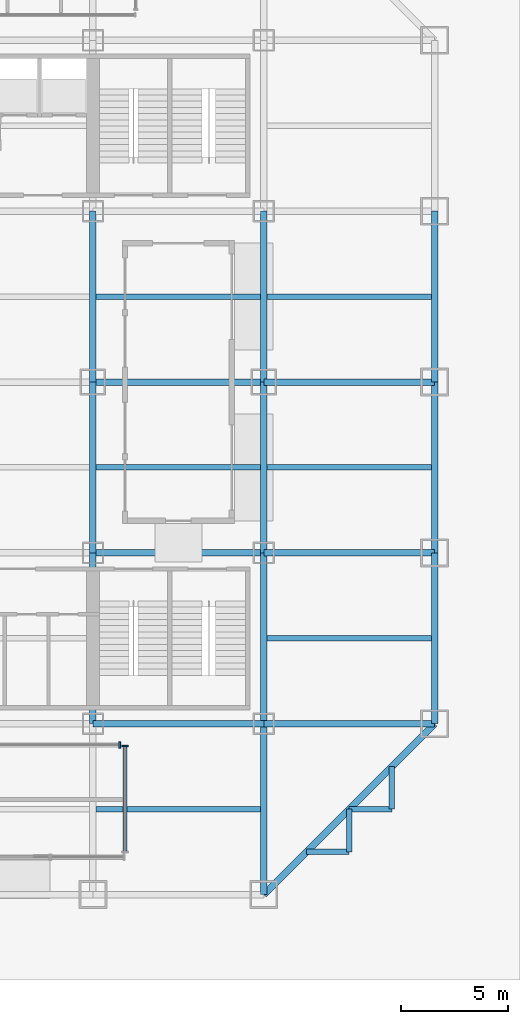
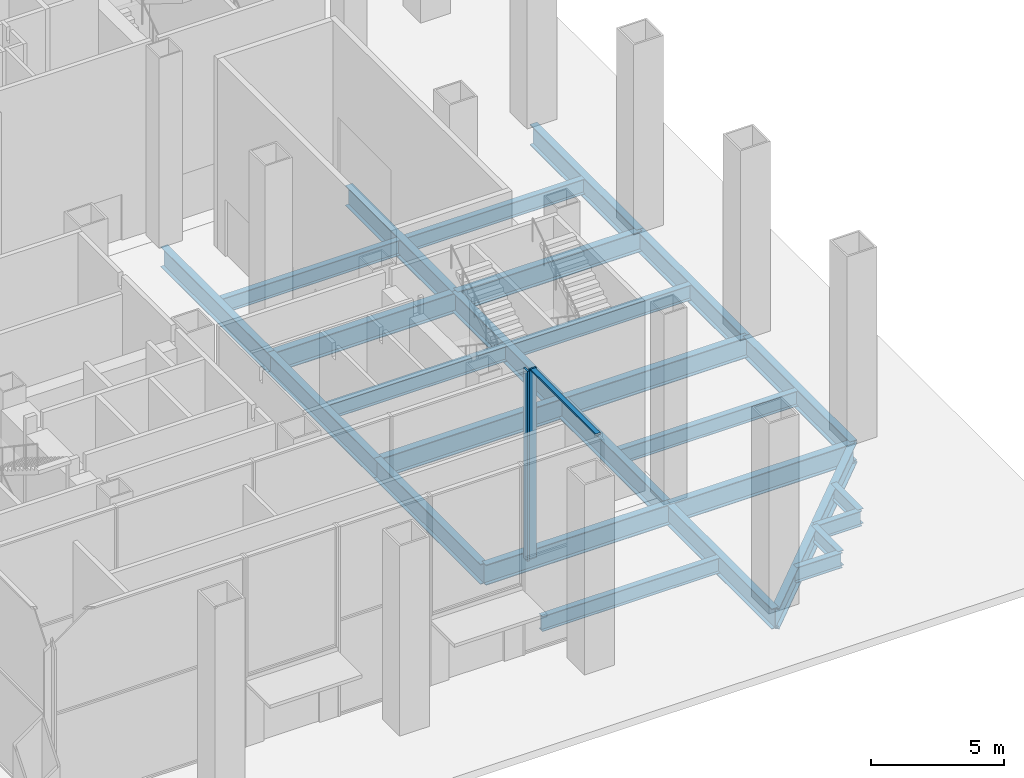
# One storey, part 3 of 14: 27 beams, 3 members, 2 elements without a shape of their own.
"""IFC4 building model written with IfcOpenShell, lengths in metres."""

from ifc_helpers import new_model, si_unit, direction, frame, origin, origin_2d, place, context, subcontext, project, spatial, rectangle, i_section, extrude, material, material_profile, profile_set, type_object, element, aggregate, save


model = new_model("IFC4")

# Units and contexts
model_context = context("Model", 3, precision=1e-05, world=origin(), true_north=direction((0.0, 1.0)))
body_context = subcontext(model_context, "Body", "Model", "MODEL_VIEW")
ifc_project = project(units=[si_unit("LENGTHUNIT", "METRE"), si_unit("AREAUNIT", "SQUARE_METRE"), si_unit("VOLUMEUNIT", "CUBIC_METRE"), si_unit("PLANEANGLEUNIT", "RADIAN"), si_unit("MASSUNIT", "GRAM", prefix="KILO")], contexts=[model_context])

# Site, building, storey
site_placement = place(None, origin())
site = spatial("IfcSite", under=ifc_project, at=site_placement, CompositionType="ELEMENT")
building_placement = place(site_placement, origin())
building = spatial("IfcBuilding", under=site, at=building_placement, Name="Immortelle Media Tower", CompositionType="ELEMENT")
storey_placement = place(building_placement, origin())
storey = spatial("IfcBuildingStorey", under=building, at=storey_placement, Name="G", CompositionType="ELEMENT", Elevation=0.0)

# Curtain wall, member
ifc_material_1 = material(Name="Aluminium curtain wall system", Category="aluminium")
curtain_wall_type = type_object("IfcCurtainWallType", Name="Lobby glazing curtain wall", PredefinedType="NOTDEFINED", material=ifc_material_1)
curtain_wall_1_placement = place(storey_placement, origin())
curtain_wall_1 = element("IfcCurtainWall", 1, at=curtain_wall_1_placement, inside=storey, type_object=curtain_wall_type, Name="Lobby glazing G E 1", PredefinedType="NOTDEFINED")
ifc_material_2 = material(Name="Aluminium 6063-T6", Category="aluminium")
ifc_material_profile_1 = material_profile(ifc_material_2, rectangle(XDim=0.300048828125, YDim=0.080078125, at=origin_2d()), Name="AL 80x300")
ifc_profile_set_1 = profile_set([ifc_material_profile_1], Name="Aluminium 6063-T6")
member_type_1 = type_object("IfcMemberType", Name="Lobby glazing mullion 80 x 300", PredefinedType="MULLION", material=ifc_profile_set_1)
member_1_placement = place(storey_placement, frame((33.5, 6.9599609375, 0.0), z_axis=(0.0, 0.0, 1.0), x_axis=(-1.0, 0.0, 0.0)))
member_1 = element("IfcMember", 2, at=member_1_placement, type_object=member_type_1, Name="CW1 mullion 2", PredefinedType="MULLION", context=body_context, shape_type="SweptSolid", body=[
    extrude(rectangle(XDim=0.300048828125, YDim=0.080078125, at=origin_2d()), origin(), (0.0, 0.0, 1.0), 8.699951171875),
])

curtain_wall_2_placement = place(storey_placement, origin())
curtain_wall_2 = element("IfcCurtainWall", 3, at=curtain_wall_2_placement, inside=storey, type_object=curtain_wall_type, Name="Lobby glazing G N 2", PredefinedType="NOTDEFINED")
member_2_placement = place(storey_placement, frame((33.260009765625, 7.0, 0.0), z_axis=(0.0, 0.0, 1.0), x_axis=(0.0, -1.0, 0.0)))
member_2 = element("IfcMember", 4, at=member_2_placement, type_object=member_type_1, Name="CW1 mullion 1", PredefinedType="MULLION", context=body_context, shape_type="SweptSolid", body=[
    extrude(rectangle(XDim=0.300048828125, YDim=0.080078125, at=origin_2d()), origin(), (0.0, 0.0, 1.0), 8.699951171875),
])
aggregate(curtain_wall_2, [member_2])

# Member
ifc_material_profile_2 = material_profile(ifc_material_2, rectangle(XDim=0.199951171875, YDim=0.080078125, at=origin_2d()), Name="AL 80x200")
ifc_profile_set_2 = profile_set([ifc_material_profile_2], Name="Aluminium 6063-T6")
member_type_2 = type_object("IfcMemberType", Name="Lobby glazing transom 80 x 200", PredefinedType="USERDEFINED", material=ifc_profile_set_2)
member_3_placement = place(storey_placement, frame((33.5, 2.030029296875, 8.659912109375), z_axis=(0.0, 1.0, 0.0), x_axis=(-1.0, 0.0, 0.0)))
member_3 = element("IfcMember", 5, at=member_3_placement, type_object=member_type_2, Name="CW1 transom 1.3", ObjectType="TRANSOM", PredefinedType="USERDEFINED", context=body_context, shape_type="SweptSolid", body=[
    extrude(rectangle(XDim=0.199951171875, YDim=0.080078125, at=origin_2d()), origin(), (0.0, 0.0, 1.0), 4.889892578125),
])

aggregate(curtain_wall_1, [member_1, member_3])

# Beams
ifc_material_3 = material(Name="Steel ASTM A992 Gr 50", Category="steel")
ifc_material_profile_3 = material_profile(ifc_material_3, i_section(OverallWidth=0.257080078125, OverallDepth=0.693115234375, WebThickness=0.013916015625, FlangeThickness=0.02392578125, at=origin_2d()), Name="W27x114")
ifc_profile_set_3 = profile_set([ifc_material_profile_3], Name="Steel ASTM A992 Gr 50")
beam_type_1 = type_object("IfcBeamType", Name="W27x114 secondary beam", PredefinedType="JOIST", material=ifc_profile_set_3)
beam_1_placement = place(storey_placement, frame((32.153564453125, 4.0, -0.696533203125), z_axis=(1.0, 0.0, 0.0), x_axis=(0.0, 1.0, 0.0)))
element("IfcBeam", 6, at=beam_1_placement, inside=storey, type_object=beam_type_1, Name="Beam A-B/5-6", PredefinedType="JOIST", context=body_context, shape_type="SweptSolid", body=[
    extrude(i_section(OverallWidth=0.257080078125, OverallDepth=0.693115234375, WebThickness=0.013916015625, FlangeThickness=0.02392578125, at=origin_2d()), origin(), (0.0, 0.0, 1.0), 7.69287109375),
])
beam_2_placement = place(storey_placement, frame((40.153564453125, 12.0, -0.696533203125), z_axis=(1.0, 0.0, 0.0), x_axis=(0.0, 1.0, 0.0)))
element("IfcBeam", 7, at=beam_2_placement, inside=storey, type_object=beam_type_1, Name="Beam B-C/6-7", PredefinedType="JOIST", context=body_context, shape_type="SweptSolid", body=[
    extrude(i_section(OverallWidth=0.257080078125, OverallDepth=0.693115234375, WebThickness=0.013916015625, FlangeThickness=0.02392578125, at=origin_2d()), origin(), (0.0, 0.0, 1.0), 7.69140625),
])
beam_3_placement = place(storey_placement, frame((32.153564453125, 20.0, -0.696533203125), z_axis=(1.0, 0.0, 0.0), x_axis=(0.0, 1.0, 0.0)))
element("IfcBeam", 8, at=beam_3_placement, inside=storey, type_object=beam_type_1, Name="Beam C-D/5-6", PredefinedType="JOIST", context=body_context, shape_type="SweptSolid", body=[
    extrude(i_section(OverallWidth=0.257080078125, OverallDepth=0.693115234375, WebThickness=0.013916015625, FlangeThickness=0.02392578125, at=origin_2d()), origin(), (0.0, 0.0, 1.0), 7.69287109375),
])
beam_4_placement = place(storey_placement, frame((40.153564453125, 20.0, -0.696533203125), z_axis=(1.0, 0.0, 0.0), x_axis=(0.0, 1.0, 0.0)))
element("IfcBeam", 9, at=beam_4_placement, inside=storey, type_object=beam_type_1, Name="Beam C-D/6-7", PredefinedType="JOIST", context=body_context, shape_type="SweptSolid", body=[
    extrude(i_section(OverallWidth=0.257080078125, OverallDepth=0.693115234375, WebThickness=0.013916015625, FlangeThickness=0.02392578125, at=origin_2d()), origin(), (0.0, 0.0, 1.0), 7.69140625),
])
beam_5_placement = place(storey_placement, frame((32.153564453125, 28.0, -0.696533203125), z_axis=(1.0, 0.0, 0.0), x_axis=(0.0, 1.0, 0.0)))
element("IfcBeam", 10, at=beam_5_placement, inside=storey, type_object=beam_type_1, Name="Beam D-E/5-6", PredefinedType="JOIST", context=body_context, shape_type="SweptSolid", body=[
    extrude(i_section(OverallWidth=0.257080078125, OverallDepth=0.693115234375, WebThickness=0.013916015625, FlangeThickness=0.02392578125, at=origin_2d()), origin(), (0.0, 0.0, 1.0), 7.69287109375),
])
beam_6_placement = place(storey_placement, frame((40.153564453125, 28.0, -0.696533203125), z_axis=(1.0, 0.0, 0.0), x_axis=(0.0, 1.0, 0.0)))
element("IfcBeam", 11, at=beam_6_placement, inside=storey, type_object=beam_type_1, Name="Beam D-E/6-7", PredefinedType="JOIST", context=body_context, shape_type="SweptSolid", body=[
    extrude(i_section(OverallWidth=0.257080078125, OverallDepth=0.693115234375, WebThickness=0.013916015625, FlangeThickness=0.02392578125, at=origin_2d()), origin(), (0.0, 0.0, 1.0), 7.69140625),
])
ifc_material_profile_4 = material_profile(ifc_material_3, i_section(OverallWidth=0.257080078125, OverallDepth=0.693115234375, WebThickness=0.013916015625, FlangeThickness=0.02392578125, at=origin_2d()), Name="W27x114")
ifc_profile_set_4 = profile_set([ifc_material_profile_4], Name="Steel ASTM A992 Gr 50")
beam_type_2 = type_object("IfcBeamType", Name="W27x114 serration edge beam", PredefinedType="SPANDREL", material=ifc_profile_set_4)
for number, where, z_axis, x_axis, name in (
    (12, (46.0, 6.0, -0.696533203125), (0.0, -1.0, 0.0), (1.0, 0.0, 0.0), "Corner edge beam 1 at 7/A"),
    (13, (46.0, 4.0, -0.696533203125), (-1.0, 0.0, 0.0), (0.0, -1.0, 0.0), "Corner edge beam 2 at 7/A"),
    (14, (44.0, 4.0, -0.696533203125), (0.0, -1.0, 0.0), (1.0, 0.0, 0.0), "Corner edge beam 3 at 7/A"),
    (15, (44.0, 2.0, -0.696533203125), (-1.0, 0.0, 0.0), (0.0, -1.0, 0.0), "Corner edge beam 4 at 7/A"),
):
    element("IfcBeam", number, at=place(storey_placement, frame(where, z_axis=z_axis, x_axis=x_axis)), inside=storey, type_object=beam_type_2, Name=name, PredefinedType="SPANDREL", context=body_context, shape_type="SweptSolid", body=[
        extrude(i_section(OverallWidth=0.257080078125, OverallDepth=0.693115234375, WebThickness=0.013916015625, FlangeThickness=0.02392578125, at=origin_2d()), origin(), (0.0, 0.0, 1.0), 2.0),
    ])
ifc_material_profile_5 = material_profile(ifc_material_3, i_section(OverallWidth=0.306884765625, OverallDepth=0.927001953125, WebThickness=0.01904296875, FlangeThickness=0.031982421875, at=origin_2d()), Name="W36x194")
ifc_profile_set_5 = profile_set([ifc_material_profile_5], Name="Steel ASTM A992 Gr 50")
beam_type_3 = type_object("IfcBeamType", Name="W36x194 girder", PredefinedType="BEAM", material=ifc_profile_set_5)
for number, where, z_axis, x_axis, name in (
    (16, (32.0, 8.0, -0.8134765625), (1.0, 0.0, 0.0), (0.0, 1.0, 0.0), "Girder B/5-6"),
    (17, (32.0, 8.0, -0.8134765625), (0.0, 1.0, 0.0), (-1.0, 0.0, 0.0), "Girder 5/B-C"),
    (18, (32.0, 16.0, -0.8134765625), (1.0, 0.0, 0.0), (0.0, 1.0, 0.0), "Girder C/5-6"),
    (19, (32.0, 16.0, -0.8134765625), (0.0, 1.0, 0.0), (-1.0, 0.0, 0.0), "Girder 5/C-D"),
    (20, (32.0, 24.0, -0.8134765625), (1.0, 0.0, 0.0), (0.0, 1.0, 0.0), "Girder D/5-6"),
    (21, (32.0, 24.0, -0.8134765625), (0.0, 1.0, 0.0), (-1.0, 0.0, 0.0), "Girder 5/D-E"),
    (22, (40.0, 0.0, -0.8134765625), (0.0, 1.0, 0.0), (-1.0, 0.0, 0.0), "Girder 6/A-B"),
    (23, (40.0, 8.0, -0.8134765625), (1.0, 0.0, 0.0), (0.0, 1.0, 0.0), "Girder B/6-7"),
    (24, (40.0, 8.0, -0.8134765625), (0.0, 1.0, 0.0), (-1.0, 0.0, 0.0), "Girder 6/B-C"),
    (25, (40.0, 16.0, -0.8134765625), (1.0, 0.0, 0.0), (0.0, 1.0, 0.0), "Girder C/6-7"),
    (26, (40.0, 16.0, -0.8134765625), (0.0, 1.0, 0.0), (-1.0, 0.0, 0.0), "Girder 6/C-D"),
    (27, (40.0, 24.0, -0.8134765625), (1.0, 0.0, 0.0), (0.0, 1.0, 0.0), "Girder D/6-7"),
    (28, (40.0, 24.0, -0.8134765625), (0.0, 1.0, 0.0), (-1.0, 0.0, 0.0), "Girder 6/D-E"),
):
    element("IfcBeam", number, at=place(storey_placement, frame(where, z_axis=z_axis, x_axis=x_axis)), inside=storey, type_object=beam_type_3, Name=name, PredefinedType="BEAM", context=body_context, shape_type="SweptSolid", body=[
        extrude(i_section(OverallWidth=0.306884765625, OverallDepth=0.927001953125, WebThickness=0.01904296875, FlangeThickness=0.031982421875, at=origin_2d()), origin(), (0.0, 0.0, 1.0), 8.0),
    ])
ifc_material_profile_6 = material_profile(ifc_material_3, i_section(OverallWidth=0.31005859375, OverallDepth=0.949951171875, WebThickness=0.02392578125, FlangeThickness=0.0439453125, at=origin_2d()), Name="W36x256")
ifc_profile_set_6 = profile_set([ifc_material_profile_6], Name="Steel ASTM A992 Gr 50")
beam_type_4 = type_object("IfcBeamType", Name="W36x256 corner girder", PredefinedType="SPANDREL", material=ifc_profile_set_6)
beam_7_placement = place(storey_placement, frame((48.0, 8.0, -0.824951171875), z_axis=(-0.707106781187, -0.707106781187, 0.0), x_axis=(0.707106781187, -0.707106781187, 0.0)))
element("IfcBeam", 29, at=beam_7_placement, inside=storey, type_object=beam_type_4, Name="Corner girder at 7/A", PredefinedType="SPANDREL", context=body_context, shape_type="SweptSolid", body=[
    extrude(i_section(OverallWidth=0.31005859375, OverallDepth=0.949951171875, WebThickness=0.02392578125, FlangeThickness=0.0439453125, at=origin_2d()), origin(), (0.0, 0.0, 1.0), 11.313720703125),
])
ifc_material_profile_7 = material_profile(ifc_material_3, i_section(OverallWidth=0.31005859375, OverallDepth=0.949951171875, WebThickness=0.02392578125, FlangeThickness=0.0439453125, at=origin_2d()), Name="W36x256")
ifc_profile_set_7 = profile_set([ifc_material_profile_7], Name="Steel ASTM A992 Gr 50")
beam_type_5 = type_object("IfcBeamType", Name="W36x256 perimeter girder", PredefinedType="SPANDREL", material=ifc_profile_set_7)
for number, where, z_axis, x_axis, name in (
    (30, (48.0, 8.0, -0.824951171875), (0.0, 1.0, 0.0), (-1.0, 0.0, 0.0), "Girder 7/B-C"),
    (31, (48.0, 16.0, -0.824951171875), (0.0, 1.0, 0.0), (-1.0, 0.0, 0.0), "Girder 7/C-D"),
    (32, (48.0, 24.0, -0.824951171875), (0.0, 1.0, 0.0), (-1.0, 0.0, 0.0), "Girder 7/D-E"),
):
    element("IfcBeam", number, at=place(storey_placement, frame(where, z_axis=z_axis, x_axis=x_axis)), inside=storey, type_object=beam_type_5, Name=name, PredefinedType="SPANDREL", context=body_context, shape_type="SweptSolid", body=[
        extrude(i_section(OverallWidth=0.31005859375, OverallDepth=0.949951171875, WebThickness=0.02392578125, FlangeThickness=0.0439453125, at=origin_2d()), origin(), (0.0, 0.0, 1.0), 8.0),
    ])

save(model, "model.ifc")
